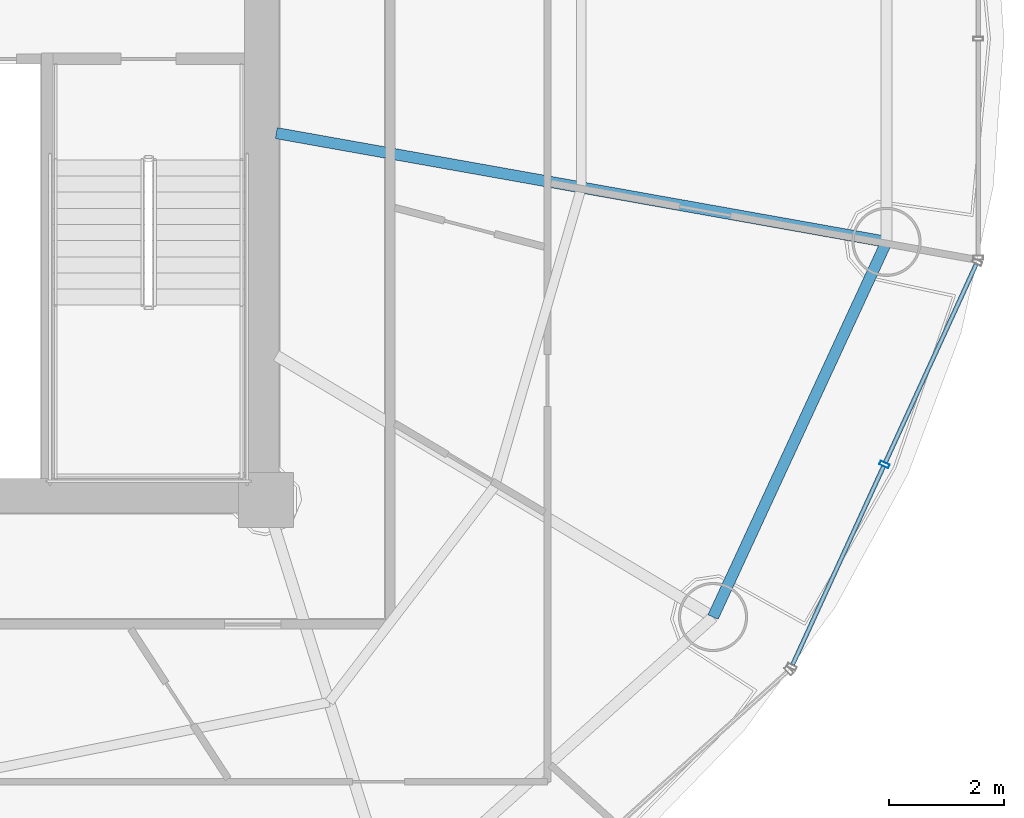
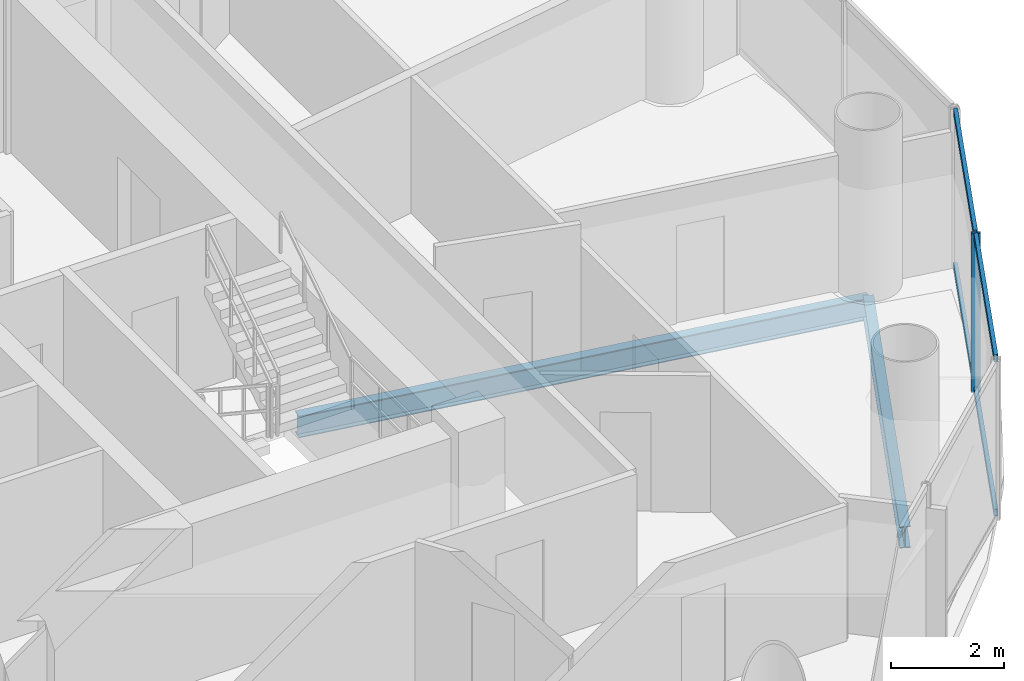
# One storey, part 11 of 27: 5 members, 2 beams, 1 element without a shape of its own.
"""IFC4 building model written with IfcOpenShell, lengths in metres."""

from ifc_helpers import new_model, si_unit, direction, frame, origin, origin_2d, place, context, subcontext, project, spatial, hollow_rectangle, i_section, extrude, source, transform, mapped, material, material_profile, profile_set, type_object, element, aggregate, save


model = new_model("IFC4")

# Units and contexts
model_context = context("Model", 3, precision=1e-05, world=origin(), true_north=direction((-0.2419218956, 0.970295726276)))
body_context = subcontext(model_context, "Body", "Model", "MODEL_VIEW")
ifc_project = project(units=[si_unit("LENGTHUNIT", "METRE"), si_unit("AREAUNIT", "SQUARE_METRE"), si_unit("VOLUMEUNIT", "CUBIC_METRE"), si_unit("PLANEANGLEUNIT", "RADIAN"), si_unit("MASSUNIT", "GRAM", prefix="KILO")], contexts=[model_context])

# Site, building, storey
site_placement = place(None, origin())
site = spatial("IfcSite", under=ifc_project, at=site_placement, CompositionType="ELEMENT")
building_placement = place(site_placement, origin())
building = spatial("IfcBuilding", under=site, at=building_placement, Name="Cobrevalo Terracotta Tower", CompositionType="ELEMENT")
storey_placement = place(building_placement, frame((0.0, 0.0, 194.89990234375)))
storey = spatial("IfcBuildingStorey", under=building, at=storey_placement, Name="L51", CompositionType="ELEMENT", Elevation=194.89990234375)

# Beams
ifc_material_1 = material(Name="Steel S355", Category="steel")
ifc_material_profile_1 = material_profile(ifc_material_1, i_section(OverallWidth=0.194091796875, OverallDepth=0.468994140625, WebThickness=0.011474609375, FlangeThickness=0.0205078125, at=origin_2d()), Name="W 460x106")
ifc_profile_set_1 = profile_set([ifc_material_profile_1], Name="Steel S355")
beam_type_1 = type_object("IfcBeamType", Name="Structural Beam W 460x106 (Steel S355)", PredefinedType="BEAM", material=ifc_profile_set_1)
beam_1_placement = place(storey_placement, frame((57.762939453125, 23.278564453125, -0.49951171875), z_axis=(-0.984493198547, 0.175422752274, 0.0), x_axis=(-0.175422752274, -0.984493198547, 0.0)))
element("IfcBeam", 1, at=beam_1_placement, inside=storey, type_object=beam_type_1, Name="L51 radial floor girder 16", PredefinedType="BEAM", context=body_context, shape_type="SweptSolid", body=[
    extrude(i_section(OverallWidth=0.194091796875, OverallDepth=0.468994140625, WebThickness=0.011474609375, FlangeThickness=0.0205078125, at=origin_2d()), origin(), (0.0, 0.0, 1.0), 10.749755859375),
])
ifc_material_profile_2 = material_profile(ifc_material_1, i_section(OverallWidth=0.194091796875, OverallDepth=0.468994140625, WebThickness=0.011474609375, FlangeThickness=0.0205078125, at=origin_2d()), Name="W 460x106")
ifc_profile_set_2 = profile_set([ifc_material_profile_2], Name="Steel S355")
beam_type_2 = type_object("IfcBeamType", Name="Structural Spandrel W 460x106 (Steel S355)", PredefinedType="SPANDREL", material=ifc_profile_set_2)
beam_2_placement = place(storey_placement, frame((54.754150390625, 16.77197265625, -0.49951171875), z_axis=(0.419718939129, 0.90765412583, 0.0), x_axis=(-0.90765412583, 0.419718939129, 0.0)))
element("IfcBeam", 2, at=beam_2_placement, inside=storey, type_object=beam_type_2, Name="L51 perimeter ring spandrel 15", PredefinedType="SPANDREL", context=body_context, shape_type="SweptSolid", body=[
    extrude(i_section(OverallWidth=0.194091796875, OverallDepth=0.468994140625, WebThickness=0.011474609375, FlangeThickness=0.0205078125, at=origin_2d()), origin(), (0.0, 0.0, 1.0), 7.168701171875),
])

# Curtain wall, members
ifc_material_2 = material(Name="Anodized aluminium", Category="aluminium")
curtain_wall_type = type_object("IfcCurtainWallType", Name="Mid-tower high-wind unitised curtain wall CW-U2", PredefinedType="NOTDEFINED", material=ifc_material_2)
curtain_wall_placement = place(storey_placement, origin())
curtain_wall = element("IfcCurtainWall", 3, at=curtain_wall_placement, inside=storey, type_object=curtain_wall_type, Name="L51 curtain wall CW-L51-S15", PredefinedType="NOTDEFINED")
ifc_material_profile_3 = material_profile(ifc_material_2, hollow_rectangle(XDim=0.074951171875, YDim=0.14990234375, WallThickness=0.00439453125, at=origin_2d()), Name="CWT 75x150")
ifc_profile_set_3 = profile_set([ifc_material_profile_3], Name="Anodized aluminium")
member_type_1 = type_object("IfcMemberType", Name="Tower unitised aluminium transom 75x150", PredefinedType="USERDEFINED", material=ifc_profile_set_3)
shared_shape_1 = source(origin(), body_context, "Body", "SweptSolid", [
    extrude(hollow_rectangle(XDim=0.074951171875, YDim=0.14990234375, WallThickness=0.00439453125, at=origin_2d()), origin(), (0.0, 0.0, 1.0), 3.780029296875),
])
member_1_placement = place(storey_placement, frame((56.134521484375, 15.944580078125, 0.050048828125), z_axis=(0.416705859352, 0.909041377926, 0.0), x_axis=(-0.909041377926, 0.416705859352, 0.0)))
member_1 = element("IfcMember", 4, at=member_1_placement, type_object=member_type_1, Name="CW-L51-S15 transom B01-T1", ObjectType="TRANSOM", PredefinedType="USERDEFINED", context=body_context, shape_type="MappedRepresentation", body=[
    mapped(shared_shape_1, transform((0.0, 0.0, 0.0), scale=1.0)),
])
member_2_placement = place(storey_placement, frame((56.134521484375, 15.944580078125, 3.385009765625), z_axis=(0.416705859352, 0.909041377926, 0.0), x_axis=(-0.909041377926, 0.416705859352, 0.0)))
member_2 = element("IfcMember", 5, at=member_2_placement, type_object=member_type_1, Name="CW-L51-S15 transom B01-T2", ObjectType="TRANSOM", PredefinedType="USERDEFINED", context=body_context, shape_type="MappedRepresentation", body=[
    mapped(shared_shape_1, transform((0.0, 0.0, 0.0), scale=1.0)),
])
member_3_placement = place(storey_placement, frame((57.7431640625, 19.45361328125, 0.050048828125), z_axis=(0.416705859352, 0.909041377926, 0.0), x_axis=(-0.909041377926, 0.416705859352, 0.0)))
member_3 = element("IfcMember", 6, at=member_3_placement, type_object=member_type_1, Name="CW-L51-S15 transom B02-T1", ObjectType="TRANSOM", PredefinedType="USERDEFINED", context=body_context, shape_type="MappedRepresentation", body=[
    mapped(shared_shape_1, transform((0.0, 0.0, 0.0), scale=1.0)),
])
member_4_placement = place(storey_placement, frame((57.7431640625, 19.45361328125, 3.385009765625), z_axis=(0.416705859352, 0.909041377926, 0.0), x_axis=(-0.909041377926, 0.416705859352, 0.0)))
member_4 = element("IfcMember", 7, at=member_4_placement, type_object=member_type_1, Name="CW-L51-S15 transom B02-T2", ObjectType="TRANSOM", PredefinedType="USERDEFINED", context=body_context, shape_type="MappedRepresentation", body=[
    mapped(shared_shape_1, transform((0.0, 0.0, 0.0), scale=1.0)),
])
ifc_material_profile_4 = material_profile(ifc_material_2, hollow_rectangle(XDim=0.070068359375, YDim=0.169921875, WallThickness=0.00439453125, at=origin_2d()), Name="CWM 70x170")
ifc_profile_set_4 = profile_set([ifc_material_profile_4], Name="Anodized aluminium")
member_type_2 = type_object("IfcMemberType", Name="Upper tower unitised mullion 70x170", PredefinedType="MULLION", material=ifc_profile_set_4)
shared_shape_2 = source(origin(), body_context, "Body", "SweptSolid", [
    extrude(hollow_rectangle(XDim=0.070068359375, YDim=0.169921875, WallThickness=0.00439453125, at=origin_2d()), origin(), (0.0, 0.0, 1.0), 3.43505859375),
])
member_5_placement = place(storey_placement, frame((57.726318359375, 19.417236328125, 0.0), z_axis=(0.0, 0.0, 1.0), x_axis=(0.41672507912, 0.909032567311, 0.0)))
member_5 = element("IfcMember", 8, at=member_5_placement, type_object=member_type_2, Name="CW-L51-S15 vertical mullion 02", PredefinedType="MULLION", context=body_context, shape_type="MappedRepresentation", body=[
    mapped(shared_shape_2, transform((0.0, 0.0, 0.0), scale=1.0)),
])
aggregate(curtain_wall, [member_5, member_1, member_2, member_3, member_4])

save(model, "model.ifc")
